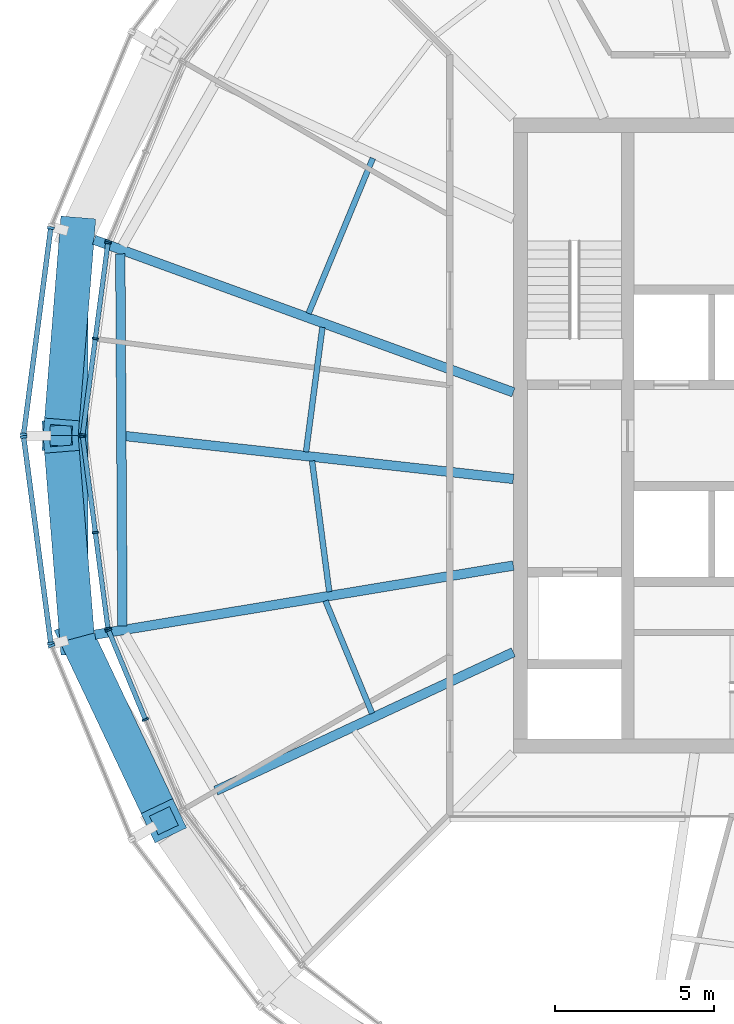
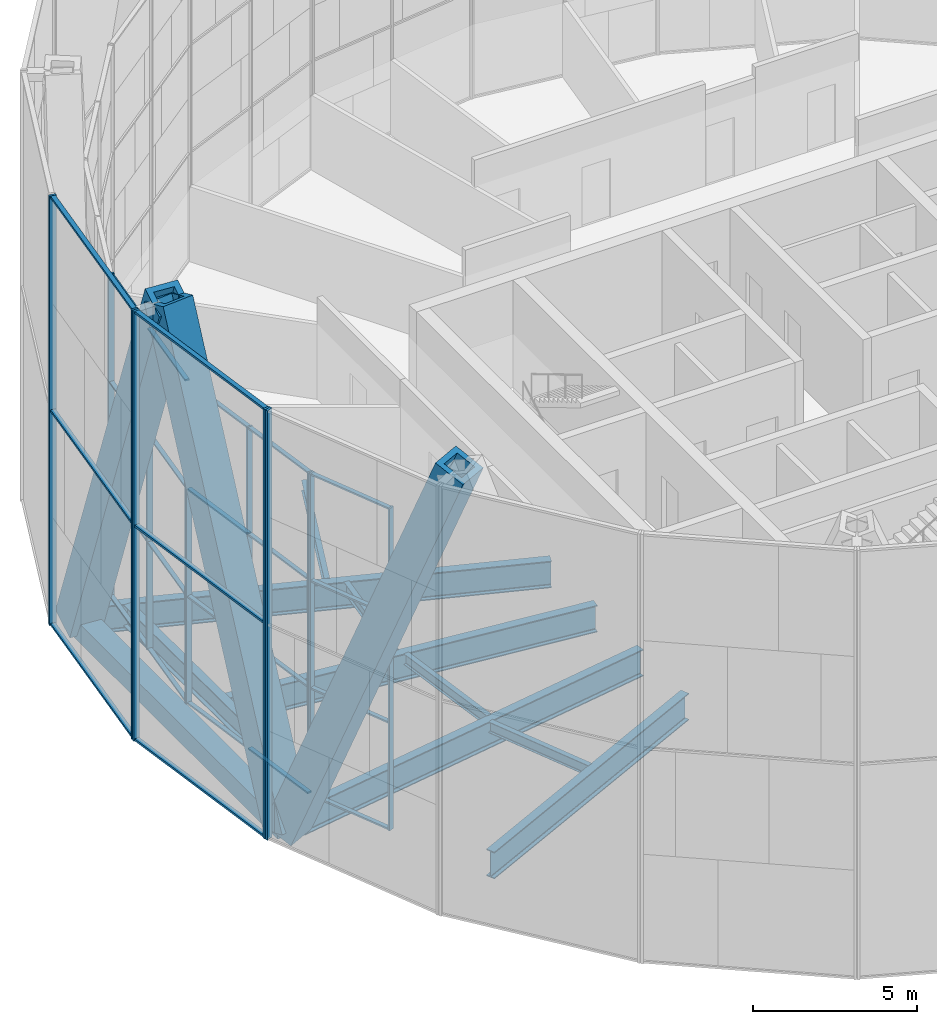
# One storey, part 3 of 26: 43 members, 10 beams, 7 elements without a shape of their own.
"""IFC4 building model written with IfcOpenShell, lengths in metres."""

from ifc_helpers import new_model, si_unit, direction, frame, origin, origin_2d, place, context, subcontext, project, spatial, rectangle, hollow_rectangle, i_section, extrude, material, material_profile, profile_set, type_object, element, aggregate, save


model = new_model("IFC4")

# Units and contexts
model_context = context("Model", 3, precision=1e-05, world=origin(), true_north=direction((0.0, 1.0)))
body_context = subcontext(model_context, "Body", "Model", "MODEL_VIEW")
ifc_project = project(units=[si_unit("LENGTHUNIT", "METRE"), si_unit("AREAUNIT", "SQUARE_METRE"), si_unit("VOLUMEUNIT", "CUBIC_METRE"), si_unit("PLANEANGLEUNIT", "RADIAN"), si_unit("MASSUNIT", "GRAM", prefix="KILO")], contexts=[model_context])

# Site, building, storey
site_placement = place(None, origin())
site = spatial("IfcSite", under=ifc_project, at=site_placement, CompositionType="ELEMENT")
building_placement = place(site_placement, origin())
building = spatial("IfcBuilding", under=site, at=building_placement, Name="Golbaran Civic Tower", CompositionType="ELEMENT")
storey_placement = place(building_placement, frame((0.0, 0.0, 199.0)))
storey = spatial("IfcBuildingStorey", under=building, at=storey_placement, Name="L48", CompositionType="ELEMENT", Elevation=199.0)

# Members
ifc_material_1 = material(Name="Steel S355", Category="steel")
ifc_material_profile_1 = material_profile(ifc_material_1, hollow_rectangle(XDim=1.10009765625, YDim=1.10009765625, WallThickness=0.199951171875, at=origin_2d()), Name="BOX 1100x1100x200")
ifc_profile_set_1 = profile_set([ifc_material_profile_1], Name="Steel S355")
member_type_1 = type_object("IfcMemberType", Name="DIAGRID DIAGONAL BOX 1100x1100x200", PredefinedType="BRACE", material=ifc_profile_set_1)
for number, where, z_axis, x_axis, name in (
    (1, (-23.740478515625, 6.361328125, -0.7099609375), (-0.029933086945, -0.369288121894, 0.928832758538), (0.996731046537, -0.080791217773, 0.0), "Diagonal D11-05R L48-L52"),
    (2, (-23.740478515625, -6.361328125, -0.7099609375), (0.158722749986, -0.334764832099, 0.92883776615), (0.903581210236, 0.428416849002, 0.0), "Diagonal D11-06R L48-L52"),
    (3, (-23.740478515625, -6.361328125, -0.7099609375), (-0.029933086945, 0.369288121894, 0.928832758538), (-0.996731046537, -0.080791217773, 0.0), "Diagonal D11-06L L48-L52"),
):
    element("IfcMember", number, at=place(storey_placement, frame(where, z_axis=z_axis, x_axis=x_axis)), inside=storey, type_object=member_type_1, Name=name, PredefinedType="BRACE", context=body_context, shape_type="SweptSolid", body=[
        extrude(hollow_rectangle(XDim=1.10009765625, YDim=1.10009765625, WallThickness=0.199951171875, at=origin_2d()), origin(), (0.0, 0.0, 1.0), 17.225830078125),
    ])

# Beams
ifc_material_profile_2 = material_profile(ifc_material_1, hollow_rectangle(XDim=0.699951171875, YDim=0.699951171875, WallThickness=0.080078125, at=origin_2d()), Name="BOX 700x700x80")
ifc_profile_set_2 = profile_set([ifc_material_profile_2], Name="Steel S355")
beam_type_1 = type_object("IfcBeamType", Name="DIAGRID RING TIE BOX 700x700x80", PredefinedType="BEAM", material=ifc_profile_set_2)
beam_1_placement = place(storey_placement, frame((-23.740478515625, 6.361328125, -0.7099609375), z_axis=(0.0, -1.0, 0.0), x_axis=(1.0, 0.0, 0.0)))
element("IfcBeam", 4, at=beam_1_placement, inside=storey, type_object=beam_type_1, Name="Ring tie 165.00 L48", PredefinedType="BEAM", context=body_context, shape_type="SweptSolid", body=[
    extrude(hollow_rectangle(XDim=0.699951171875, YDim=0.699951171875, WallThickness=0.080078125, at=origin_2d()), origin(), (0.0, 0.0, 1.0), 12.72265625),
])
ifc_material_profile_3 = material_profile(ifc_material_1, i_section(OverallWidth=0.300048828125, OverallDepth=0.800048828125, WebThickness=0.017578125, FlangeThickness=0.032958984375, FilletRadius=0.030029296875, at=origin_2d()), Name="HEB 800")
ifc_profile_set_3 = profile_set([ifc_material_profile_3], Name="Steel S355")
beam_type_2 = type_object("IfcBeamType", Name="EDGE BEAM HEB 800", PredefinedType="BEAM", material=ifc_profile_set_3)
beam_2_placement = place(storey_placement, frame((-22.37841796875, 5.7275390625, -0.60009765625), z_axis=(0.005790483854, -0.999983235008, 0.0), x_axis=(0.999983235008, 0.005790483854, 0.0)))
element("IfcBeam", 5, at=beam_2_placement, inside=storey, type_object=beam_type_2, Name="Edge beam 165.00 L48", PredefinedType="BEAM", context=body_context, shape_type="SweptSolid", body=[
    extrude(i_section(OverallWidth=0.300048828125, OverallDepth=0.800048828125, WebThickness=0.017578125, FlangeThickness=0.032958984375, FilletRadius=0.030029296875, at=origin_2d()), origin(), (0.0, 0.0, 1.0), 11.72119140625),
])
ifc_material_profile_4 = material_profile(ifc_material_1, i_section(OverallWidth=0.179931640625, OverallDepth=0.39990234375, WebThickness=0.008544921875, FlangeThickness=0.013427734375, FilletRadius=0.02099609375, at=origin_2d()), Name="IPE 400")
ifc_profile_set_4 = profile_set([ifc_material_profile_4], Name="Steel S355")
beam_type_3 = type_object("IfcBeamType", Name="FLOOR INFILL BEAM IPE 400", PredefinedType="BEAM", material=ifc_profile_set_4)
beam_3_placement = place(storey_placement, frame((-14.424560546875, 8.736083984375, -0.39990234375), z_axis=(-0.382668310235, -0.923885796157, 0.0), x_axis=(0.923885796157, -0.382668310235, 0.0)))
element("IfcBeam", 6, at=beam_3_placement, inside=storey, type_object=beam_type_3, Name="Infill beam 157.50 L48", PredefinedType="BEAM", context=body_context, shape_type="SweptSolid", body=[
    extrude(i_section(OverallWidth=0.179931640625, OverallDepth=0.39990234375, WebThickness=0.008544921875, FlangeThickness=0.013427734375, FilletRadius=0.02099609375, at=origin_2d()), origin(), (0.0, 0.0, 1.0), 5.291015625),
])
beam_4_placement = place(storey_placement, frame((-16.012451171875, 3.412353515625, -0.39990234375), z_axis=(-0.130515142756, -0.991446316001, 0.0), x_axis=(0.991446316001, -0.130515142756, 0.0)))
element("IfcBeam", 7, at=beam_4_placement, inside=storey, type_object=beam_type_3, Name="Infill beam 172.50 L48", PredefinedType="BEAM", context=body_context, shape_type="SweptSolid", body=[
    extrude(i_section(OverallWidth=0.179931640625, OverallDepth=0.39990234375, WebThickness=0.008544921875, FlangeThickness=0.013427734375, FilletRadius=0.02099609375, at=origin_2d()), origin(), (0.0, 0.0, 1.0), 3.958251953125),
])
beam_5_placement = place(storey_placement, frame((-16.339599609375, -0.79443359375, -0.39990234375), z_axis=(0.130490955472, -0.991449499743, 0.0), x_axis=(0.991449499743, 0.130490955472, 0.0)))
element("IfcBeam", 8, at=beam_5_placement, inside=storey, type_object=beam_type_3, Name="Infill beam 187.50 L48", PredefinedType="BEAM", context=body_context, shape_type="SweptSolid", body=[
    extrude(i_section(OverallWidth=0.179931640625, OverallDepth=0.39990234375, WebThickness=0.008544921875, FlangeThickness=0.013427734375, FilletRadius=0.02099609375, at=origin_2d()), origin(), (0.0, 0.0, 1.0), 4.1591796875),
])
beam_6_placement = place(storey_placement, frame((-15.916748046875, -5.201416015625, -0.39990234375), z_axis=(0.382645726635, -0.923895149835, 0.0), x_axis=(0.923895149835, 0.382645726635, 0.0)))
element("IfcBeam", 9, at=beam_6_placement, inside=storey, type_object=beam_type_3, Name="Infill beam 202.50 L48", PredefinedType="BEAM", context=body_context, shape_type="SweptSolid", body=[
    extrude(i_section(OverallWidth=0.179931640625, OverallDepth=0.39990234375, WebThickness=0.008544921875, FlangeThickness=0.013427734375, FilletRadius=0.02099609375, at=origin_2d()), origin(), (0.0, 0.0, 1.0), 3.839111328125),
])

# Curtain wall, member
ifc_material_2 = material(Name="Aluminium and glass", Category="aluminium")
curtain_wall_type_1 = type_object("IfcCurtainWallType", Name="INNER SKIN CURTAIN WALL EXECUTIVE", PredefinedType="NOTDEFINED", material=ifc_material_2)
curtain_wall_1_placement = place(storey_placement, origin())
curtain_wall_1 = element("IfcCurtainWall", 10, at=curtain_wall_1_placement, inside=storey, type_object=curtain_wall_type_1, Name="Inner skin L48 facet 11 CW2", ObjectType="INNER SKIN", PredefinedType="USERDEFINED")
ifc_material_3 = material(Name="Aluminium", Category="aluminium")
ifc_material_profile_5 = material_profile(ifc_material_3, rectangle(XDim=0.199951171875, YDim=0.06005859375, at=origin_2d()), Name="INNER SKIN CURTAIN WALL EXECUTIVE MULLION")
ifc_profile_set_5 = profile_set([ifc_material_profile_5], Name="Aluminium")
member_type_2 = type_object("IfcMemberType", Name="INNER SKIN CURTAIN WALL EXECUTIVE MULLION", PredefinedType="MULLION", material=ifc_profile_set_5)
member_1_placement = place(storey_placement, frame((-22.75244140625, 6.127197265625, 0.0), z_axis=(0.0, 0.0, 1.0), x_axis=(0.923879532518, -0.382683432349, 0.0)))
member_1 = element("IfcMember", 11, at=member_1_placement, type_object=member_type_2, Name="CW2 mullion 3", PredefinedType="MULLION", context=body_context, shape_type="SweptSolid", body=[
    extrude(rectangle(XDim=0.199951171875, YDim=0.06005859375, at=origin_2d()), origin(), (0.0, 0.0, 1.0), 12.0),
])
aggregate(curtain_wall_1, [member_1])

# Curtain wall, members
curtain_wall_2_placement = place(storey_placement, origin())
curtain_wall_2 = element("IfcCurtainWall", 12, at=curtain_wall_2_placement, inside=storey, type_object=curtain_wall_type_1, Name="Inner skin L48 facet 12 CW2", ObjectType="INNER SKIN", PredefinedType="USERDEFINED")
member_2_placement = place(storey_placement, frame((-22.767822265625, 6.06982421875, 0.0), z_axis=(0.0, 0.0, 1.0), x_axis=(0.991444861372, -0.130526192237, 0.0)))
member_2 = element("IfcMember", 13, at=member_2_placement, type_object=member_type_2, Name="CW2 mullion 1", PredefinedType="MULLION", context=body_context, shape_type="SweptSolid", body=[
    extrude(rectangle(XDim=0.199951171875, YDim=0.06005859375, at=origin_2d()), origin(), (0.0, 0.0, 1.0), 12.0),
])
member_3_placement = place(storey_placement, frame((-23.16552734375, 3.0498046875, 0.0), z_axis=(0.0, 0.0, 1.0), x_axis=(0.991444861372, -0.130526192237, 0.0)))
member_3 = element("IfcMember", 14, at=member_3_placement, type_object=member_type_2, Name="CW2 mullion 2", PredefinedType="MULLION", context=body_context, shape_type="SweptSolid", body=[
    extrude(rectangle(XDim=0.199951171875, YDim=0.06005859375, at=origin_2d()), origin(), (0.0, 0.0, 1.0), 12.0),
])
member_4_placement = place(storey_placement, frame((-23.56298828125, 0.02978515625, 0.0), z_axis=(0.0, 0.0, 1.0), x_axis=(0.991444861372, -0.130526192237, 0.0)))
member_4 = element("IfcMember", 15, at=member_4_placement, type_object=member_type_2, Name="CW2 mullion 3", PredefinedType="MULLION", context=body_context, shape_type="SweptSolid", body=[
    extrude(rectangle(XDim=0.199951171875, YDim=0.06005859375, at=origin_2d()), origin(), (0.0, 0.0, 1.0), 12.0),
])

curtain_wall_3_placement = place(storey_placement, origin())
curtain_wall_3 = element("IfcCurtainWall", 16, at=curtain_wall_3_placement, inside=storey, type_object=curtain_wall_type_1, Name="Inner skin L48 facet 13 CW2", ObjectType="INNER SKIN", PredefinedType="USERDEFINED")
member_5_placement = place(storey_placement, frame((-23.56298828125, -0.02978515625, 0.0), z_axis=(0.0, 0.0, 1.0), x_axis=(0.991444861372, 0.130526192237, 0.0)))
member_5 = element("IfcMember", 17, at=member_5_placement, type_object=member_type_2, Name="CW2 mullion 1", PredefinedType="MULLION", context=body_context, shape_type="SweptSolid", body=[
    extrude(rectangle(XDim=0.199951171875, YDim=0.06005859375, at=origin_2d()), origin(), (0.0, 0.0, 1.0), 12.0),
])
member_6_placement = place(storey_placement, frame((-23.16552734375, -3.0498046875, 0.0), z_axis=(0.0, 0.0, 1.0), x_axis=(0.991444861372, 0.130526192237, 0.0)))
member_6 = element("IfcMember", 18, at=member_6_placement, type_object=member_type_2, Name="CW2 mullion 2", PredefinedType="MULLION", context=body_context, shape_type="SweptSolid", body=[
    extrude(rectangle(XDim=0.199951171875, YDim=0.06005859375, at=origin_2d()), origin(), (0.0, 0.0, 1.0), 12.0),
])
member_7_placement = place(storey_placement, frame((-22.767822265625, -6.06982421875, 0.0), z_axis=(0.0, 0.0, 1.0), x_axis=(0.991444861372, 0.130526192237, 0.0)))
member_7 = element("IfcMember", 19, at=member_7_placement, type_object=member_type_2, Name="CW2 mullion 3", PredefinedType="MULLION", context=body_context, shape_type="SweptSolid", body=[
    extrude(rectangle(XDim=0.199951171875, YDim=0.06005859375, at=origin_2d()), origin(), (0.0, 0.0, 1.0), 12.0),
])

curtain_wall_4_placement = place(storey_placement, origin())
curtain_wall_4 = element("IfcCurtainWall", 20, at=curtain_wall_4_placement, inside=storey, type_object=curtain_wall_type_1, Name="Inner skin L48 facet 14 CW2", ObjectType="INNER SKIN", PredefinedType="USERDEFINED")
member_8_placement = place(storey_placement, frame((-22.75244140625, -6.127197265625, 0.0), z_axis=(0.0, 0.0, 1.0), x_axis=(0.923879532518, 0.382683432349, 0.0)))
member_8 = element("IfcMember", 21, at=member_8_placement, type_object=member_type_2, Name="CW2 mullion 1", PredefinedType="MULLION", context=body_context, shape_type="SweptSolid", body=[
    extrude(rectangle(XDim=0.199951171875, YDim=0.06005859375, at=origin_2d()), origin(), (0.0, 0.0, 1.0), 12.0),
])
member_9_placement = place(storey_placement, frame((-21.5869140625, -8.941650390625, 0.0), z_axis=(0.0, 0.0, 1.0), x_axis=(0.923879532518, 0.382683432349, 0.0)))
member_9 = element("IfcMember", 22, at=member_9_placement, type_object=member_type_2, Name="CW2 mullion 2", PredefinedType="MULLION", context=body_context, shape_type="SweptSolid", body=[
    extrude(rectangle(XDim=0.199951171875, YDim=0.06005859375, at=origin_2d()), origin(), (0.0, 0.0, 1.0), 12.0),
])

# Member
ifc_material_profile_6 = material_profile(ifc_material_3, rectangle(XDim=0.14990234375, YDim=0.06005859375, at=origin_2d()), Name="INNER SKIN CURTAIN WALL EXECUTIVE TRANSOM")
ifc_profile_set_6 = profile_set([ifc_material_profile_6], Name="Aluminium")
member_type_3 = type_object("IfcMemberType", Name="INNER SKIN CURTAIN WALL EXECUTIVE TRANSOM", PredefinedType="USERDEFINED", material=ifc_profile_set_6)
member_10_placement = place(storey_placement, frame((-22.771728515625, 6.0400390625, 0.030029296875), z_axis=(-0.130572951568, -0.991438704267, 0.0), x_axis=(0.991438704267, -0.130572951568, 0.0)))
member_10 = element("IfcMember", 23, at=member_10_placement, type_object=member_type_3, Name="CW2 transom 1.1", ObjectType="TRANSOM", PredefinedType="USERDEFINED", context=body_context, shape_type="SweptSolid", body=[
    extrude(rectangle(XDim=0.14990234375, YDim=0.06005859375, at=origin_2d()), origin(), (0.0, 0.0, 1.0), 2.986083984375),
])

member_11_placement = place(storey_placement, frame((-22.771728515625, 6.0400390625, 4.0), z_axis=(-0.130572951568, -0.991438704267, 0.0), x_axis=(0.991438704267, -0.130572951568, 0.0)))
member_11 = element("IfcMember", 24, at=member_11_placement, type_object=member_type_3, Name="CW2 transom 1.2", ObjectType="TRANSOM", PredefinedType="USERDEFINED", context=body_context, shape_type="SweptSolid", body=[
    extrude(rectangle(XDim=0.14990234375, YDim=0.06005859375, at=origin_2d()), origin(), (0.0, 0.0, 1.0), 2.986083984375),
])

member_12_placement = place(storey_placement, frame((-22.771728515625, 6.0400390625, 8.0), z_axis=(-0.130572951568, -0.991438704267, 0.0), x_axis=(0.991438704267, -0.130572951568, 0.0)))
member_12 = element("IfcMember", 25, at=member_12_placement, type_object=member_type_3, Name="CW2 transom 1.3", ObjectType="TRANSOM", PredefinedType="USERDEFINED", context=body_context, shape_type="SweptSolid", body=[
    extrude(rectangle(XDim=0.14990234375, YDim=0.06005859375, at=origin_2d()), origin(), (0.0, 0.0, 1.0), 2.986083984375),
])

member_13_placement = place(storey_placement, frame((-22.771728515625, 6.0400390625, 11.969970703125), z_axis=(-0.130572951568, -0.991438704267, 0.0), x_axis=(0.991438704267, -0.130572951568, 0.0)))
member_13 = element("IfcMember", 26, at=member_13_placement, type_object=member_type_3, Name="CW2 transom 1.4", ObjectType="TRANSOM", PredefinedType="USERDEFINED", context=body_context, shape_type="SweptSolid", body=[
    extrude(rectangle(XDim=0.14990234375, YDim=0.06005859375, at=origin_2d()), origin(), (0.0, 0.0, 1.0), 2.986083984375),
])

member_14_placement = place(storey_placement, frame((-23.16943359375, 3.02001953125, 0.030029296875), z_axis=(-0.130492582858, -0.991449285551, 0.0), x_axis=(0.991449285551, -0.130492582858, 0.0)))
member_14 = element("IfcMember", 27, at=member_14_placement, type_object=member_type_3, Name="CW2 transom 2.1", ObjectType="TRANSOM", PredefinedType="USERDEFINED", context=body_context, shape_type="SweptSolid", body=[
    extrude(rectangle(XDim=0.14990234375, YDim=0.06005859375, at=origin_2d()), origin(), (0.0, 0.0, 1.0), 2.986083984375),
])

member_15_placement = place(storey_placement, frame((-23.16943359375, 3.02001953125, 4.0), z_axis=(-0.130492582858, -0.991449285551, 0.0), x_axis=(0.991449285551, -0.130492582858, 0.0)))
member_15 = element("IfcMember", 28, at=member_15_placement, type_object=member_type_3, Name="CW2 transom 2.2", ObjectType="TRANSOM", PredefinedType="USERDEFINED", context=body_context, shape_type="SweptSolid", body=[
    extrude(rectangle(XDim=0.14990234375, YDim=0.06005859375, at=origin_2d()), origin(), (0.0, 0.0, 1.0), 2.986083984375),
])

member_16_placement = place(storey_placement, frame((-23.16943359375, 3.02001953125, 8.0), z_axis=(-0.130492582858, -0.991449285551, 0.0), x_axis=(0.991449285551, -0.130492582858, 0.0)))
member_16 = element("IfcMember", 29, at=member_16_placement, type_object=member_type_3, Name="CW2 transom 2.3", ObjectType="TRANSOM", PredefinedType="USERDEFINED", context=body_context, shape_type="SweptSolid", body=[
    extrude(rectangle(XDim=0.14990234375, YDim=0.06005859375, at=origin_2d()), origin(), (0.0, 0.0, 1.0), 2.986083984375),
])

member_17_placement = place(storey_placement, frame((-23.16943359375, 3.02001953125, 11.969970703125), z_axis=(-0.130492582858, -0.991449285551, 0.0), x_axis=(0.991449285551, -0.130492582858, 0.0)))
member_17 = element("IfcMember", 30, at=member_17_placement, type_object=member_type_3, Name="CW2 transom 2.4", ObjectType="TRANSOM", PredefinedType="USERDEFINED", context=body_context, shape_type="SweptSolid", body=[
    extrude(rectangle(XDim=0.14990234375, YDim=0.06005859375, at=origin_2d()), origin(), (0.0, 0.0, 1.0), 2.986083984375),
])

aggregate(curtain_wall_2, [member_2, member_3, member_4, member_10, member_11, member_12, member_13, member_14, member_15, member_16, member_17])

member_18_placement = place(storey_placement, frame((-23.55908203125, -0.0595703125, 0.030029296875), z_axis=(0.130492582858, -0.991449285551, 0.0), x_axis=(0.991449285551, 0.130492582858, 0.0)))
member_18 = element("IfcMember", 31, at=member_18_placement, type_object=member_type_3, Name="CW2 transom 1.1", ObjectType="TRANSOM", PredefinedType="USERDEFINED", context=body_context, shape_type="SweptSolid", body=[
    extrude(rectangle(XDim=0.14990234375, YDim=0.06005859375, at=origin_2d()), origin(), (0.0, 0.0, 1.0), 2.986083984375),
])

member_19_placement = place(storey_placement, frame((-23.55908203125, -0.0595703125, 4.0), z_axis=(0.130492582858, -0.991449285551, 0.0), x_axis=(0.991449285551, 0.130492582858, 0.0)))
member_19 = element("IfcMember", 32, at=member_19_placement, type_object=member_type_3, Name="CW2 transom 1.2", ObjectType="TRANSOM", PredefinedType="USERDEFINED", context=body_context, shape_type="SweptSolid", body=[
    extrude(rectangle(XDim=0.14990234375, YDim=0.06005859375, at=origin_2d()), origin(), (0.0, 0.0, 1.0), 2.986083984375),
])

member_20_placement = place(storey_placement, frame((-23.55908203125, -0.0595703125, 8.0), z_axis=(0.130492582858, -0.991449285551, 0.0), x_axis=(0.991449285551, 0.130492582858, 0.0)))
member_20 = element("IfcMember", 33, at=member_20_placement, type_object=member_type_3, Name="CW2 transom 1.3", ObjectType="TRANSOM", PredefinedType="USERDEFINED", context=body_context, shape_type="SweptSolid", body=[
    extrude(rectangle(XDim=0.14990234375, YDim=0.06005859375, at=origin_2d()), origin(), (0.0, 0.0, 1.0), 2.986083984375),
])

member_21_placement = place(storey_placement, frame((-23.55908203125, -0.0595703125, 11.969970703125), z_axis=(0.130492582858, -0.991449285551, 0.0), x_axis=(0.991449285551, 0.130492582858, 0.0)))
member_21 = element("IfcMember", 34, at=member_21_placement, type_object=member_type_3, Name="CW2 transom 1.4", ObjectType="TRANSOM", PredefinedType="USERDEFINED", context=body_context, shape_type="SweptSolid", body=[
    extrude(rectangle(XDim=0.14990234375, YDim=0.06005859375, at=origin_2d()), origin(), (0.0, 0.0, 1.0), 2.986083984375),
])

member_22_placement = place(storey_placement, frame((-23.16162109375, -3.07958984375, 0.030029296875), z_axis=(0.130572951568, -0.991438704267, 0.0), x_axis=(0.991438704267, 0.130572951568, 0.0)))
member_22 = element("IfcMember", 35, at=member_22_placement, type_object=member_type_3, Name="CW2 transom 2.1", ObjectType="TRANSOM", PredefinedType="USERDEFINED", context=body_context, shape_type="SweptSolid", body=[
    extrude(rectangle(XDim=0.14990234375, YDim=0.06005859375, at=origin_2d()), origin(), (0.0, 0.0, 1.0), 2.986083984375),
])

member_23_placement = place(storey_placement, frame((-23.16162109375, -3.07958984375, 4.0), z_axis=(0.130572951568, -0.991438704267, 0.0), x_axis=(0.991438704267, 0.130572951568, 0.0)))
member_23 = element("IfcMember", 36, at=member_23_placement, type_object=member_type_3, Name="CW2 transom 2.2", ObjectType="TRANSOM", PredefinedType="USERDEFINED", context=body_context, shape_type="SweptSolid", body=[
    extrude(rectangle(XDim=0.14990234375, YDim=0.06005859375, at=origin_2d()), origin(), (0.0, 0.0, 1.0), 2.986083984375),
])

member_24_placement = place(storey_placement, frame((-23.16162109375, -3.07958984375, 8.0), z_axis=(0.130572951568, -0.991438704267, 0.0), x_axis=(0.991438704267, 0.130572951568, 0.0)))
member_24 = element("IfcMember", 37, at=member_24_placement, type_object=member_type_3, Name="CW2 transom 2.3", ObjectType="TRANSOM", PredefinedType="USERDEFINED", context=body_context, shape_type="SweptSolid", body=[
    extrude(rectangle(XDim=0.14990234375, YDim=0.06005859375, at=origin_2d()), origin(), (0.0, 0.0, 1.0), 2.986083984375),
])

member_25_placement = place(storey_placement, frame((-23.16162109375, -3.07958984375, 11.969970703125), z_axis=(0.130572951568, -0.991438704267, 0.0), x_axis=(0.991438704267, 0.130572951568, 0.0)))
member_25 = element("IfcMember", 38, at=member_25_placement, type_object=member_type_3, Name="CW2 transom 2.4", ObjectType="TRANSOM", PredefinedType="USERDEFINED", context=body_context, shape_type="SweptSolid", body=[
    extrude(rectangle(XDim=0.14990234375, YDim=0.06005859375, at=origin_2d()), origin(), (0.0, 0.0, 1.0), 2.986083984375),
])

aggregate(curtain_wall_3, [member_5, member_6, member_7, member_18, member_19, member_20, member_21, member_22, member_23, member_24, member_25])

member_26_placement = place(storey_placement, frame((-22.740966796875, -6.155029296875, 0.030029296875), z_axis=(0.382640634603, -0.923897258763, 0.0), x_axis=(0.923897258763, 0.382640634603, 0.0)))
member_26 = element("IfcMember", 39, at=member_26_placement, type_object=member_type_3, Name="CW2 transom 1.1", ObjectType="TRANSOM", PredefinedType="USERDEFINED", context=body_context, shape_type="SweptSolid", body=[
    extrude(rectangle(XDim=0.14990234375, YDim=0.06005859375, at=origin_2d()), origin(), (0.0, 0.0, 1.0), 2.986083984375),
])

member_27_placement = place(storey_placement, frame((-22.740966796875, -6.155029296875, 4.0), z_axis=(0.382640634603, -0.923897258763, 0.0), x_axis=(0.923897258763, 0.382640634603, 0.0)))
member_27 = element("IfcMember", 40, at=member_27_placement, type_object=member_type_3, Name="CW2 transom 1.2", ObjectType="TRANSOM", PredefinedType="USERDEFINED", context=body_context, shape_type="SweptSolid", body=[
    extrude(rectangle(XDim=0.14990234375, YDim=0.06005859375, at=origin_2d()), origin(), (0.0, 0.0, 1.0), 2.986083984375),
])

member_28_placement = place(storey_placement, frame((-22.740966796875, -6.155029296875, 8.0), z_axis=(0.382640634603, -0.923897258763, 0.0), x_axis=(0.923897258763, 0.382640634603, 0.0)))
member_28 = element("IfcMember", 41, at=member_28_placement, type_object=member_type_3, Name="CW2 transom 1.3", ObjectType="TRANSOM", PredefinedType="USERDEFINED", context=body_context, shape_type="SweptSolid", body=[
    extrude(rectangle(XDim=0.14990234375, YDim=0.06005859375, at=origin_2d()), origin(), (0.0, 0.0, 1.0), 2.986083984375),
])

member_29_placement = place(storey_placement, frame((-22.740966796875, -6.155029296875, 11.969970703125), z_axis=(0.382640634603, -0.923897258763, 0.0), x_axis=(0.923897258763, 0.382640634603, 0.0)))
member_29 = element("IfcMember", 42, at=member_29_placement, type_object=member_type_3, Name="CW2 transom 1.4", ObjectType="TRANSOM", PredefinedType="USERDEFINED", context=body_context, shape_type="SweptSolid", body=[
    extrude(rectangle(XDim=0.14990234375, YDim=0.06005859375, at=origin_2d()), origin(), (0.0, 0.0, 1.0), 2.986083984375),
])

aggregate(curtain_wall_4, [member_8, member_9, member_26, member_27, member_28, member_29])

# Curtain wall, members
curtain_wall_type_2 = type_object("IfcCurtainWallType", Name="OUTER SKIN TERRACOTTA SCREEN", PredefinedType="NOTDEFINED", material=ifc_material_2)
curtain_wall_5_placement = place(storey_placement, origin())
curtain_wall_5 = element("IfcCurtainWall", 43, at=curtain_wall_5_placement, inside=storey, type_object=curtain_wall_type_2, Name="Outer skin L48 facet 12 CW3", ObjectType="OUTER SKIN", PredefinedType="USERDEFINED")
ifc_material_profile_7 = material_profile(ifc_material_3, rectangle(XDim=0.219970703125, YDim=0.080078125, at=origin_2d()), Name="OUTER SKIN TERRACOTTA SCREEN MULLION")
ifc_profile_set_7 = profile_set([ifc_material_profile_7], Name="Aluminium")
member_type_4 = type_object("IfcMemberType", Name="OUTER SKIN TERRACOTTA SCREEN MULLION", PredefinedType="MULLION", material=ifc_profile_set_7)
member_30_placement = place(storey_placement, frame((-24.56689453125, 6.54150390625, -0.7099609375), z_axis=(0.0, 0.0, 1.0), x_axis=(0.991444861376, -0.130526192203, 0.0)))
member_30 = element("IfcMember", 44, at=member_30_placement, type_object=member_type_4, Name="CW3 mullion 1", PredefinedType="MULLION", context=body_context, shape_type="SweptSolid", body=[
    extrude(rectangle(XDim=0.219970703125, YDim=0.080078125, at=origin_2d()), origin(), (0.0, 0.0, 1.0), 16.0),
])
member_31_placement = place(storey_placement, frame((-25.4228515625, 0.03955078125, -0.7099609375), z_axis=(0.0, 0.0, 1.0), x_axis=(0.991444861376, -0.130526192203, 0.0)))
member_31 = element("IfcMember", 45, at=member_31_placement, type_object=member_type_4, Name="CW3 mullion 2", PredefinedType="MULLION", context=body_context, shape_type="SweptSolid", body=[
    extrude(rectangle(XDim=0.219970703125, YDim=0.080078125, at=origin_2d()), origin(), (0.0, 0.0, 1.0), 16.0),
])

curtain_wall_6_placement = place(storey_placement, origin())
curtain_wall_6 = element("IfcCurtainWall", 46, at=curtain_wall_6_placement, inside=storey, type_object=curtain_wall_type_2, Name="Outer skin L48 facet 13 CW3", ObjectType="OUTER SKIN", PredefinedType="USERDEFINED")
member_32_placement = place(storey_placement, frame((-25.4228515625, -0.03955078125, -0.7099609375), z_axis=(0.0, 0.0, 1.0), x_axis=(0.991444861376, 0.130526192203, 0.0)))
member_32 = element("IfcMember", 47, at=member_32_placement, type_object=member_type_4, Name="CW3 mullion 1", PredefinedType="MULLION", context=body_context, shape_type="SweptSolid", body=[
    extrude(rectangle(XDim=0.219970703125, YDim=0.080078125, at=origin_2d()), origin(), (0.0, 0.0, 1.0), 16.0),
])
member_33_placement = place(storey_placement, frame((-24.56689453125, -6.54150390625, -0.7099609375), z_axis=(0.0, 0.0, 1.0), x_axis=(0.991444861376, 0.130526192203, 0.0)))
member_33 = element("IfcMember", 48, at=member_33_placement, type_object=member_type_4, Name="CW3 mullion 2", PredefinedType="MULLION", context=body_context, shape_type="SweptSolid", body=[
    extrude(rectangle(XDim=0.219970703125, YDim=0.080078125, at=origin_2d()), origin(), (0.0, 0.0, 1.0), 16.0),
])

# Curtain wall, member
curtain_wall_7_placement = place(storey_placement, origin())
curtain_wall_7 = element("IfcCurtainWall", 49, at=curtain_wall_7_placement, inside=storey, type_object=curtain_wall_type_2, Name="Outer skin L48 facet 14 CW3", ObjectType="OUTER SKIN", PredefinedType="USERDEFINED")
member_34_placement = place(storey_placement, frame((-24.546142578125, -6.6181640625, -0.7099609375), z_axis=(0.0, 0.0, 1.0), x_axis=(0.923879532478, 0.382683432446, 0.0)))
member_34 = element("IfcMember", 50, at=member_34_placement, type_object=member_type_4, Name="CW3 mullion 1", PredefinedType="MULLION", context=body_context, shape_type="SweptSolid", body=[
    extrude(rectangle(XDim=0.219970703125, YDim=0.080078125, at=origin_2d()), origin(), (0.0, 0.0, 1.0), 16.0),
])
aggregate(curtain_wall_7, [member_34])

# Member
ifc_material_profile_8 = material_profile(ifc_material_3, rectangle(XDim=0.159912109375, YDim=0.080078125, at=origin_2d()), Name="OUTER SKIN TERRACOTTA SCREEN TRANSOM")
ifc_profile_set_8 = profile_set([ifc_material_profile_8], Name="Aluminium")
member_type_5 = type_object("IfcMemberType", Name="OUTER SKIN TERRACOTTA SCREEN TRANSOM", PredefinedType="USERDEFINED", material=ifc_profile_set_8)
member_35_placement = place(storey_placement, frame((-24.572021484375, 6.501953125, -0.669921875), z_axis=(-0.130512031424, -0.991446725575, 0.0), x_axis=(0.991446725575, -0.130512031424, 0.0)))
member_35 = element("IfcMember", 51, at=member_35_placement, type_object=member_type_5, Name="CW3 transom 1.1", ObjectType="TRANSOM", PredefinedType="USERDEFINED", context=body_context, shape_type="SweptSolid", body=[
    extrude(rectangle(XDim=0.159912109375, YDim=0.080078125, at=origin_2d()), origin(), (0.0, 0.0, 1.0), 6.47802734375),
])

member_36_placement = place(storey_placement, frame((-24.572021484375, 6.501953125, 7.2900390625), z_axis=(-0.130512031424, -0.991446725575, 0.0), x_axis=(0.991446725575, -0.130512031424, 0.0)))
member_36 = element("IfcMember", 52, at=member_36_placement, type_object=member_type_5, Name="CW3 transom 1.2", ObjectType="TRANSOM", PredefinedType="USERDEFINED", context=body_context, shape_type="SweptSolid", body=[
    extrude(rectangle(XDim=0.159912109375, YDim=0.080078125, at=origin_2d()), origin(), (0.0, 0.0, 1.0), 6.47802734375),
])

member_37_placement = place(storey_placement, frame((-24.572021484375, 6.501953125, 15.25), z_axis=(-0.130512031424, -0.991446725575, 0.0), x_axis=(0.991446725575, -0.130512031424, 0.0)))
member_37 = element("IfcMember", 53, at=member_37_placement, type_object=member_type_5, Name="CW3 transom 1.3", ObjectType="TRANSOM", PredefinedType="USERDEFINED", context=body_context, shape_type="SweptSolid", body=[
    extrude(rectangle(XDim=0.159912109375, YDim=0.080078125, at=origin_2d()), origin(), (0.0, 0.0, 1.0), 6.47802734375),
])

aggregate(curtain_wall_5, [member_30, member_31, member_35, member_36, member_37])

member_38_placement = place(storey_placement, frame((-25.41748046875, -0.079345703125, -0.669921875), z_axis=(0.130512031424, -0.991446725575, 0.0), x_axis=(0.991446725575, 0.130512031424, 0.0)))
member_38 = element("IfcMember", 54, at=member_38_placement, type_object=member_type_5, Name="CW3 transom 1.1", ObjectType="TRANSOM", PredefinedType="USERDEFINED", context=body_context, shape_type="SweptSolid", body=[
    extrude(rectangle(XDim=0.159912109375, YDim=0.080078125, at=origin_2d()), origin(), (0.0, 0.0, 1.0), 6.47802734375),
])

member_39_placement = place(storey_placement, frame((-25.41748046875, -0.079345703125, 7.2900390625), z_axis=(0.130512031424, -0.991446725575, 0.0), x_axis=(0.991446725575, 0.130512031424, 0.0)))
member_39 = element("IfcMember", 55, at=member_39_placement, type_object=member_type_5, Name="CW3 transom 1.2", ObjectType="TRANSOM", PredefinedType="USERDEFINED", context=body_context, shape_type="SweptSolid", body=[
    extrude(rectangle(XDim=0.159912109375, YDim=0.080078125, at=origin_2d()), origin(), (0.0, 0.0, 1.0), 6.47802734375),
])

member_40_placement = place(storey_placement, frame((-25.41748046875, -0.079345703125, 15.25), z_axis=(0.130512031424, -0.991446725575, 0.0), x_axis=(0.991446725575, 0.130512031424, 0.0)))
member_40 = element("IfcMember", 56, at=member_40_placement, type_object=member_type_5, Name="CW3 transom 1.3", ObjectType="TRANSOM", PredefinedType="USERDEFINED", context=body_context, shape_type="SweptSolid", body=[
    extrude(rectangle(XDim=0.159912109375, YDim=0.080078125, at=origin_2d()), origin(), (0.0, 0.0, 1.0), 6.47802734375),
])

aggregate(curtain_wall_6, [member_32, member_33, member_38, member_39, member_40])

# Beams
ifc_material_profile_9 = material_profile(ifc_material_1, i_section(OverallWidth=0.300048828125, OverallDepth=1.0, WebThickness=0.01904296875, FlangeThickness=0.035888671875, FilletRadius=0.030029296875, at=origin_2d()), Name="HEB 1000")
ifc_profile_set_9 = profile_set([ifc_material_profile_9], Name="Steel S355")
beam_type_4 = type_object("IfcBeamType", Name="RADIAL FLOOR BEAM HEB 1000", PredefinedType="BEAM", material=ifc_profile_set_9)
beam_7_placement = place(storey_placement, frame((-10.0, 1.3642578125, -0.7099609375), z_axis=(-0.93978581343, 0.341763990022, 0.0), x_axis=(-0.341763990022, -0.93978581343, 0.0)))
element("IfcBeam", 57, at=beam_7_placement, inside=storey, type_object=beam_type_4, Name="Radial beam 165.00 L48", PredefinedType="BEAM", context=body_context, shape_type="SweptSolid", body=[
    extrude(i_section(OverallWidth=0.300048828125, OverallDepth=1.0, WebThickness=0.01904296875, FlangeThickness=0.035888671875, FilletRadius=0.030029296875, at=origin_2d()), origin(), (0.0, 0.0, 1.0), 14.050537109375),
])
beam_8_placement = place(storey_placement, frame((-10.0, -4.0927734375, -0.7099609375), z_axis=(-0.986644266312, -0.162889814761, 0.0), x_axis=(0.162889814761, -0.986644266312, 0.0)))
element("IfcBeam", 58, at=beam_8_placement, inside=storey, type_object=beam_type_4, Name="Radial beam 195.00 L48", PredefinedType="BEAM", context=body_context, shape_type="SweptSolid", body=[
    extrude(i_section(OverallWidth=0.300048828125, OverallDepth=1.0, WebThickness=0.01904296875, FlangeThickness=0.035888671875, FilletRadius=0.030029296875, at=origin_2d()), origin(), (0.0, 0.0, 1.0), 13.3544921875),
])
ifc_material_profile_10 = material_profile(ifc_material_1, i_section(OverallWidth=0.300048828125, OverallDepth=1.0, WebThickness=0.01904296875, FlangeThickness=0.035888671875, FilletRadius=0.030029296875, at=origin_2d()), Name="HEB 1000")
ifc_profile_set_10 = profile_set([ifc_material_profile_10], Name="Steel S355")
beam_type_5 = type_object("IfcBeamType", Name="SECONDARY FLOOR BEAM HEB 1000", PredefinedType="BEAM", material=ifc_profile_set_10)
beam_9_placement = place(storey_placement, frame((-10.0, -1.3642578125, -0.7099609375), z_axis=(-0.993949240267, 0.109840374058, 0.0), x_axis=(-0.109840374058, -0.993949240267, 0.0)))
element("IfcBeam", 59, at=beam_9_placement, inside=storey, type_object=beam_type_5, Name="Secondary beam 180.00 L48", PredefinedType="BEAM", context=body_context, shape_type="SweptSolid", body=[
    extrude(i_section(OverallWidth=0.300048828125, OverallDepth=1.0, WebThickness=0.01904296875, FlangeThickness=0.035888671875, FilletRadius=0.030029296875, at=origin_2d()), origin(), (0.0, 0.0, 1.0), 12.42041015625),
])
beam_10_placement = place(storey_placement, frame((-10.0, -6.821533203125, -0.7099609375), z_axis=(-0.906597332729, -0.421996772841, 0.0), x_axis=(0.421996772841, -0.906597332729, 0.0)))
element("IfcBeam", 60, at=beam_10_placement, inside=storey, type_object=beam_type_5, Name="Secondary beam 210.00 L48", PredefinedType="BEAM", context=body_context, shape_type="SweptSolid", body=[
    extrude(i_section(OverallWidth=0.300048828125, OverallDepth=1.0, WebThickness=0.01904296875, FlangeThickness=0.035888671875, FilletRadius=0.030029296875, at=origin_2d()), origin(), (0.0, 0.0, 1.0), 10.33447265625),
])

save(model, "model.ifc")
